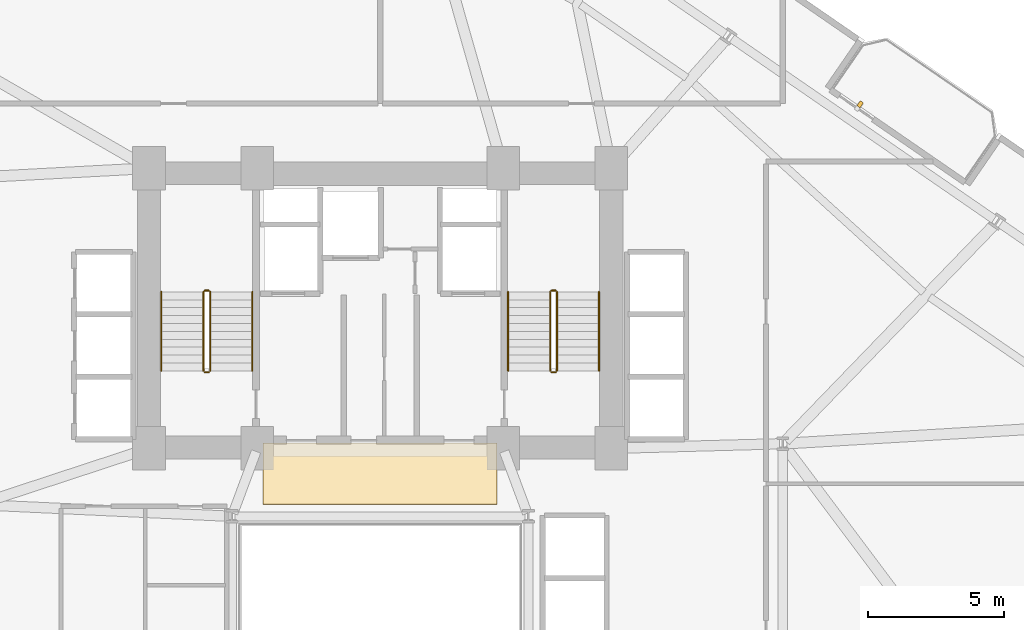
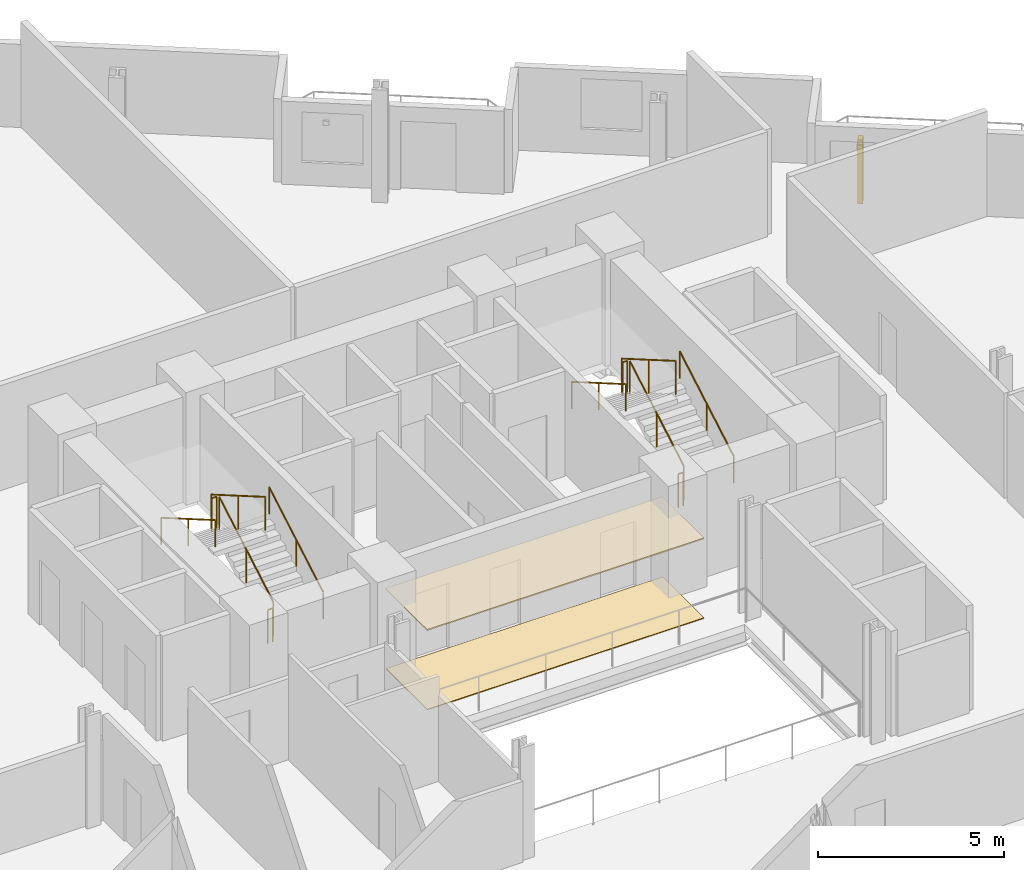
# One storey, part 23 of 24: 12 railings, 2 coverings, 1 shading device.
"""IFC4 building model written with IfcOpenShell, lengths in metres."""

from ifc_helpers import new_model, si_unit, direction, frame, origin, origin_2d, place, context, subcontext, project, spatial, rectangle, circle, extrude, source, transform, mapped, material, layer, layer_set, type_object, element, save


model = new_model("IFC4")

# Units and contexts
model_context = context("Model", 3, precision=1e-05, world=origin(), true_north=direction((0.0, 1.0)))
body_context = subcontext(model_context, "Body", "Model", "MODEL_VIEW")
ifc_project = project(units=[si_unit("LENGTHUNIT", "METRE"), si_unit("AREAUNIT", "SQUARE_METRE"), si_unit("VOLUMEUNIT", "CUBIC_METRE"), si_unit("PLANEANGLEUNIT", "RADIAN"), si_unit("MASSUNIT", "GRAM", prefix="KILO")], contexts=[model_context])

# Site, building, storey
site_placement = place(None, origin())
site = spatial("IfcSite", under=ifc_project, at=site_placement, CompositionType="ELEMENT")
building_placement = place(site_placement, origin())
building = spatial("IfcBuilding", under=site, at=building_placement, Name="Varnelok Gate Tower", CompositionType="ELEMENT")
storey_placement = place(building_placement, frame((0.0, 0.0, 38.10009765625)))
storey = spatial("IfcBuildingStorey", under=building, at=storey_placement, Name="L08", CompositionType="ELEMENT", Elevation=38.10009765625)

# Railings
ifc_material_1 = material(Name="Brushed Stainless Steel AISI 316", Category="steel")
railing_type_1 = type_object("IfcRailingType", Name="RL-HANDRAIL-900", PredefinedType="HANDRAIL", material=ifc_material_1)
railing_1_placement = place(storey_placement, frame((34.5, 31.60009765625, 0.16796875)))
element("IfcRailing", 1, at=railing_1_placement, inside=storey, type_object=railing_type_1, Name="L08 ST-1 stair handrail 1", PredefinedType="HANDRAIL", context=body_context, shape_type="SweptSolid", body=[
    extrude(circle(Radius=0.02392578125, at=origin_2d()), frame((0.0, 0.0, 0.8759765625), z_axis=(0.0, 0.865038774852, 0.501705010941), x_axis=(-1.0, 0.0, 0.0)), (0.0, 0.0, 1.0), 3.352294921875),
    extrude(circle(Radius=0.02099609375, at=origin_2d()), origin(), (0.0, 0.0, 1.0), 0.851806640625),
    extrude(circle(Radius=0.02099609375, at=origin_2d()), frame((0.0, 1.449951171875, 0.8408203125)), (0.0, 0.0, 1.0), 0.851806640625),
    extrude(circle(Radius=0.02099609375, at=origin_2d()), frame((0.0, 2.89990234375, 1.681884765625)), (0.0, 0.0, 1.0), 0.851806640625),
])
railing_2_placement = place(storey_placement, frame((31.14990234375, 34.5, 2.01806640625)))
element("IfcRailing", 2, at=railing_2_placement, inside=storey, type_object=railing_type_1, Name="L08 ST-1 stair handrail 2", PredefinedType="HANDRAIL", context=body_context, shape_type="SweptSolid", body=[
    extrude(circle(Radius=0.02392578125, at=origin_2d()), frame((0.0, 0.0, 0.8759765625), z_axis=(0.0, -0.865038774852, 0.501705010941), x_axis=(1.0, 0.0, 0.0)), (0.0, 0.0, 1.0), 3.352294921875),
    extrude(circle(Radius=0.02099609375, at=origin_2d()), origin(), (0.0, 0.0, 1.0), 0.851806640625),
    extrude(circle(Radius=0.02099609375, at=origin_2d()), frame((0.0, -1.449951171875, 0.8408203125)), (0.0, 0.0, 1.0), 0.851806640625),
    extrude(circle(Radius=0.02099609375, at=origin_2d()), frame((0.0, -2.89990234375, 1.681884765625)), (0.0, 0.0, 1.0), 0.851806640625),
])
railing_3_placement = place(storey_placement, frame((47.25, 31.60009765625, 0.16796875)))
element("IfcRailing", 3, at=railing_3_placement, inside=storey, type_object=railing_type_1, Name="L08 ST-2 stair handrail 1", PredefinedType="HANDRAIL", context=body_context, shape_type="SweptSolid", body=[
    extrude(circle(Radius=0.02392578125, at=origin_2d()), frame((0.0, 0.0, 0.8759765625), z_axis=(0.0, 0.865038774852, 0.501705010941), x_axis=(-1.0, 0.0, 0.0)), (0.0, 0.0, 1.0), 3.352294921875),
    extrude(circle(Radius=0.02099609375, at=origin_2d()), origin(), (0.0, 0.0, 1.0), 0.851806640625),
    extrude(circle(Radius=0.02099609375, at=origin_2d()), frame((0.0, 1.449951171875, 0.8408203125)), (0.0, 0.0, 1.0), 0.851806640625),
    extrude(circle(Radius=0.02099609375, at=origin_2d()), frame((0.0, 2.89990234375, 1.681884765625)), (0.0, 0.0, 1.0), 0.851806640625),
])
railing_4_placement = place(storey_placement, frame((43.89990234375, 34.5, 2.01806640625)))
element("IfcRailing", 4, at=railing_4_placement, inside=storey, type_object=railing_type_1, Name="L08 ST-2 stair handrail 2", PredefinedType="HANDRAIL", context=body_context, shape_type="SweptSolid", body=[
    extrude(circle(Radius=0.02392578125, at=origin_2d()), frame((0.0, 0.0, 0.8759765625), z_axis=(0.0, -0.865038774852, 0.501705010941), x_axis=(1.0, 0.0, 0.0)), (0.0, 0.0, 1.0), 3.352294921875),
    extrude(circle(Radius=0.02099609375, at=origin_2d()), origin(), (0.0, 0.0, 1.0), 0.851806640625),
    extrude(circle(Radius=0.02099609375, at=origin_2d()), frame((0.0, -1.449951171875, 0.8408203125)), (0.0, 0.0, 1.0), 0.851806640625),
    extrude(circle(Radius=0.02099609375, at=origin_2d()), frame((0.0, -2.89990234375, 1.681884765625)), (0.0, 0.0, 1.0), 0.851806640625),
])
ifc_material_2 = material(Name="Galvanized Steel Grade S350GD", Category="steel")
railing_type_2 = type_object("IfcRailingType", Name="RL-STAIR-GUARD1120", PredefinedType="GUARDRAIL", material=ifc_material_2)
railing_5_placement = place(storey_placement, frame((32.949951171875, 31.60009765625, 0.16796875)))
element("IfcRailing", 5, at=railing_5_placement, inside=storey, type_object=railing_type_2, Name="L08 ST-1 stair guard 1", PredefinedType="GUARDRAIL", context=body_context, shape_type="SweptSolid", body=[
    extrude(circle(Radius=0.02392578125, at=origin_2d()), frame((0.0, 0.0, 1.09619140625), z_axis=(0.0, 0.865038774852, 0.501705010941), x_axis=(-1.0, 0.0, 0.0)), (0.0, 0.0, 1.0), 3.352294921875),
    extrude(circle(Radius=0.02099609375, at=origin_2d()), origin(), (0.0, 0.0, 1.0), 1.072021484375),
    extrude(circle(Radius=0.02099609375, at=origin_2d()), frame((0.0, 1.449951171875, 0.8408203125)), (0.0, 0.0, 1.0), 1.072021484375),
    extrude(circle(Radius=0.02099609375, at=origin_2d()), frame((0.0, 2.89990234375, 1.681884765625)), (0.0, 0.0, 1.0), 1.072021484375),
])
railing_6_placement = place(storey_placement, frame((32.89990234375, 34.550048828125, 1.849853515625)))
element("IfcRailing", 6, at=railing_6_placement, inside=storey, type_object=railing_type_2, Name="L08 ST-1 stair guard 2", PredefinedType="GUARDRAIL", context=body_context, shape_type="SweptSolid", body=[
    extrude(circle(Radius=0.02392578125, at=origin_2d()), frame((0.0, 0.0, 1.09619140625), z_axis=(-1.0, 0.0, 0.0), x_axis=(0.0, -1.0, 0.0)), (0.0, 0.0, 1.0), 0.14990234375),
    extrude(circle(Radius=0.02099609375, at=origin_2d()), origin(), (0.0, 0.0, 1.0), 1.072021484375),
    extrude(circle(Radius=0.02099609375, at=origin_2d()), frame((-0.14990234375, 0.0, 0.0)), (0.0, 0.0, 1.0), 1.072021484375),
])
railing_7_placement = place(storey_placement, frame((32.699951171875, 34.5, 2.01806640625)))
element("IfcRailing", 7, at=railing_7_placement, inside=storey, type_object=railing_type_2, Name="L08 ST-1 stair guard 3", PredefinedType="GUARDRAIL", context=body_context, shape_type="SweptSolid", body=[
    extrude(circle(Radius=0.02392578125, at=origin_2d()), frame((0.0, 0.0, 1.09619140625), z_axis=(0.0, -0.865038774852, 0.501705010941), x_axis=(1.0, 0.0, 0.0)), (0.0, 0.0, 1.0), 3.352294921875),
    extrude(circle(Radius=0.02099609375, at=origin_2d()), origin(), (0.0, 0.0, 1.0), 1.072021484375),
    extrude(circle(Radius=0.02099609375, at=origin_2d()), frame((0.0, -1.449951171875, 0.8408203125)), (0.0, 0.0, 1.0), 1.072021484375),
    extrude(circle(Radius=0.02099609375, at=origin_2d()), frame((0.0, -2.89990234375, 1.681884765625)), (0.0, 0.0, 1.0), 1.072021484375),
])
railing_8_placement = place(storey_placement, frame((32.89990234375, 31.550048828125, 0.0)))
element("IfcRailing", 8, at=railing_8_placement, inside=storey, type_object=railing_type_2, Name="L08 ST-1 stair guard 4", PredefinedType="GUARDRAIL", context=body_context, shape_type="SweptSolid", body=[
    extrude(circle(Radius=0.02392578125, at=origin_2d()), frame((0.0, 0.0, 1.09619140625), z_axis=(-1.0, 0.0, 0.0), x_axis=(0.0, -1.0, 0.0)), (0.0, 0.0, 1.0), 0.14990234375),
    extrude(circle(Radius=0.02099609375, at=origin_2d()), origin(), (0.0, 0.0, 1.0), 1.072021484375),
    extrude(circle(Radius=0.02099609375, at=origin_2d()), frame((-0.14990234375, 0.0, 0.0)), (0.0, 0.0, 1.0), 1.072021484375),
])
railing_9_placement = place(storey_placement, frame((45.699951171875, 31.60009765625, 0.16796875)))
element("IfcRailing", 9, at=railing_9_placement, inside=storey, type_object=railing_type_2, Name="L08 ST-2 stair guard 1", PredefinedType="GUARDRAIL", context=body_context, shape_type="SweptSolid", body=[
    extrude(circle(Radius=0.02392578125, at=origin_2d()), frame((0.0, 0.0, 1.09619140625), z_axis=(0.0, 0.865038774852, 0.501705010941), x_axis=(-1.0, 0.0, 0.0)), (0.0, 0.0, 1.0), 3.352294921875),
    extrude(circle(Radius=0.02099609375, at=origin_2d()), origin(), (0.0, 0.0, 1.0), 1.072021484375),
    extrude(circle(Radius=0.02099609375, at=origin_2d()), frame((0.0, 1.449951171875, 0.8408203125)), (0.0, 0.0, 1.0), 1.072021484375),
    extrude(circle(Radius=0.02099609375, at=origin_2d()), frame((0.0, 2.89990234375, 1.681884765625)), (0.0, 0.0, 1.0), 1.072021484375),
])
railing_10_placement = place(storey_placement, frame((45.64990234375, 34.550048828125, 1.849853515625)))
element("IfcRailing", 10, at=railing_10_placement, inside=storey, type_object=railing_type_2, Name="L08 ST-2 stair guard 2", PredefinedType="GUARDRAIL", context=body_context, shape_type="SweptSolid", body=[
    extrude(circle(Radius=0.02392578125, at=origin_2d()), frame((0.0, 0.0, 1.09619140625), z_axis=(-1.0, 0.0, 0.0), x_axis=(0.0, -1.0, 0.0)), (0.0, 0.0, 1.0), 0.14990234375),
    extrude(circle(Radius=0.02099609375, at=origin_2d()), origin(), (0.0, 0.0, 1.0), 1.072021484375),
    extrude(circle(Radius=0.02099609375, at=origin_2d()), frame((-0.14990234375, 0.0, 0.0)), (0.0, 0.0, 1.0), 1.072021484375),
])
railing_11_placement = place(storey_placement, frame((45.449951171875, 34.5, 2.01806640625)))
element("IfcRailing", 11, at=railing_11_placement, inside=storey, type_object=railing_type_2, Name="L08 ST-2 stair guard 3", PredefinedType="GUARDRAIL", context=body_context, shape_type="SweptSolid", body=[
    extrude(circle(Radius=0.02392578125, at=origin_2d()), frame((0.0, 0.0, 1.09619140625), z_axis=(0.0, -0.865038774852, 0.501705010941), x_axis=(1.0, 0.0, 0.0)), (0.0, 0.0, 1.0), 3.352294921875),
    extrude(circle(Radius=0.02099609375, at=origin_2d()), origin(), (0.0, 0.0, 1.0), 1.072021484375),
    extrude(circle(Radius=0.02099609375, at=origin_2d()), frame((0.0, -1.449951171875, 0.8408203125)), (0.0, 0.0, 1.0), 1.072021484375),
    extrude(circle(Radius=0.02099609375, at=origin_2d()), frame((0.0, -2.89990234375, 1.681884765625)), (0.0, 0.0, 1.0), 1.072021484375),
])
railing_12_placement = place(storey_placement, frame((45.64990234375, 31.550048828125, 0.0)))
element("IfcRailing", 12, at=railing_12_placement, inside=storey, type_object=railing_type_2, Name="L08 ST-2 stair guard 4", PredefinedType="GUARDRAIL", context=body_context, shape_type="SweptSolid", body=[
    extrude(circle(Radius=0.02392578125, at=origin_2d()), frame((0.0, 0.0, 1.09619140625), z_axis=(-1.0, 0.0, 0.0), x_axis=(0.0, -1.0, 0.0)), (0.0, 0.0, 1.0), 0.14990234375),
    extrude(circle(Radius=0.02099609375, at=origin_2d()), origin(), (0.0, 0.0, 1.0), 1.072021484375),
    extrude(circle(Radius=0.02099609375, at=origin_2d()), frame((-0.14990234375, 0.0, 0.0)), (0.0, 0.0, 1.0), 1.072021484375),
])

# Shading device
ifc_material_3 = material(Name="Glazed Architectural Terracotta Ceramic", Category="masonry")
shading_device_type = type_object("IfcShadingDeviceType", Name="SHD-TERRA-BAGUETTE", PredefinedType="USERDEFINED", material=ifc_material_3)
shared_shape_1 = source(origin(), body_context, "Body", "SweptSolid", [
    extrude(rectangle(XDim=0.139892578125, YDim=0.219970703125, at=origin_2d()), origin(), (0.0, 0.0, 1.0), 2.10009765625),
])
shading_device_placement = place(storey_placement, frame((56.847412109375, 41.400390625, 0.099853515625), z_axis=(0.0, 0.0, 1.0), x_axis=(0.823532597628, -0.567268949127, 0.0)))
element("IfcShadingDevice", 13, at=shading_device_placement, inside=storey, type_object=shading_device_type, Name="L08 Terracotta Ceramic Baguette Sunscreen 4.1", ObjectType="BAGUETTE", PredefinedType="USERDEFINED", context=body_context, shape_type="MappedRepresentation", body=[
    mapped(shared_shape_1, transform((0.0, 0.0, 0.0), scale=1.0)),
])

# Coverings
ifc_material_4 = material(Name="Honed Travertine Stone Flooring", Category="masonry")
ifc_layer_1 = layer(ifc_material_4, 0.02490234375)
ifc_layer_set_1 = layer_set([ifc_layer_1], Name="Honed Travertine Stone Flooring")
covering_type_1 = type_object("IfcCoveringType", Name="COV-FLOR-STONE", PredefinedType="FLOORING", material=ifc_layer_set_1)
shared_shape_2 = source(origin(), body_context, "Body", "SweptSolid", [
    extrude(rectangle(XDim=8.60009765625, YDim=2.219970703125, at=origin_2d()), origin(), (0.0, 0.0, 1.0), 0.02490234375),
])
covering_1_placement = place(storey_placement, frame((39.199951171875, 27.800048828125, 0.0), z_axis=(0.0, 0.0, 1.0), x_axis=(1.0, 0.0, 0.0)))
element("IfcCovering", 14, at=covering_1_placement, inside=storey, type_object=covering_type_1, Name="L08 Core Gallery Stone Flooring", PredefinedType="FLOORING", context=body_context, shape_type="MappedRepresentation", body=[
    mapped(shared_shape_2, transform((0.0, 0.0, 0.0), scale=1.0)),
])
ifc_material_5 = material(Name="Mineral Fiber Acoustic Ceiling Tile")
ifc_layer_2 = layer(ifc_material_5, 0.0400390625)
ifc_layer_set_2 = layer_set([ifc_layer_2], Name="Mineral Fiber Acoustic Ceiling Tile")
covering_type_2 = type_object("IfcCoveringType", Name="COV-CEIL-ACOUST", PredefinedType="CEILING", material=ifc_layer_set_2)
shared_shape_3 = source(origin(), body_context, "Body", "SweptSolid", [
    extrude(rectangle(XDim=8.60009765625, YDim=2.239990234375, at=origin_2d()), origin(), (0.0, 0.0, 1.0), 0.0400390625),
])
covering_2_placement = place(storey_placement, frame((39.199951171875, 27.820068359375, 2.599853515625), z_axis=(0.0, 0.0, 1.0), x_axis=(1.0, 0.0, 0.0)))
element("IfcCovering", 15, at=covering_2_placement, inside=storey, type_object=covering_type_2, Name="L08 Core Gallery Acoustic Ceiling", PredefinedType="CEILING", context=body_context, shape_type="MappedRepresentation", body=[
    mapped(shared_shape_3, transform((0.0, 0.0, 0.0), scale=1.0)),
])

save(model, "model.ifc")
